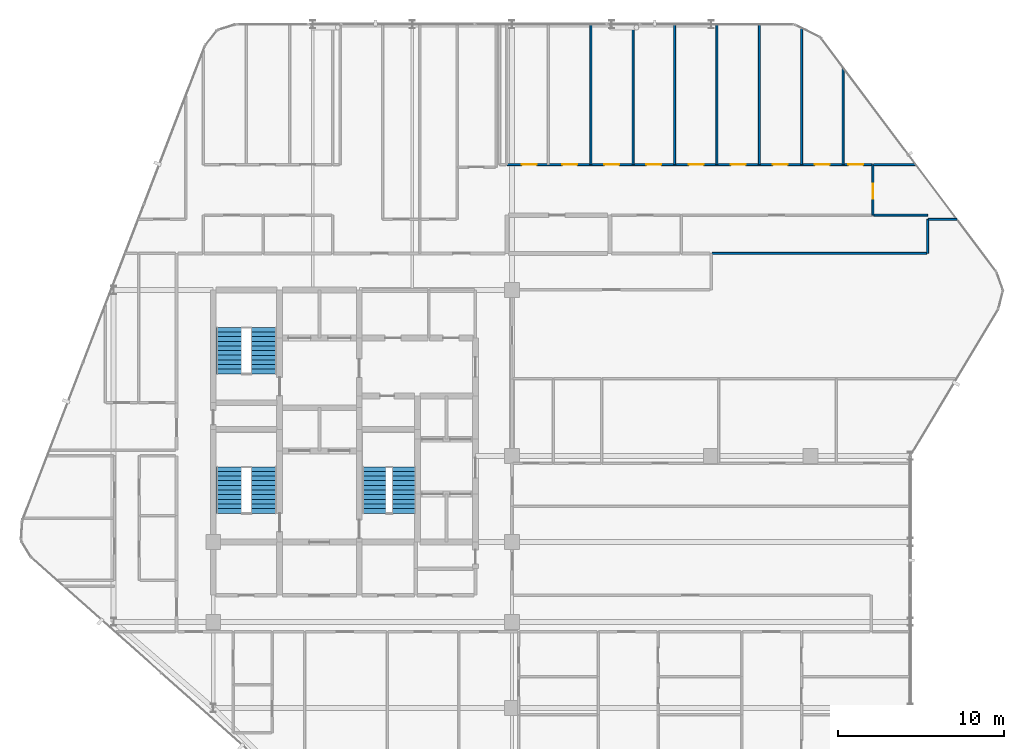
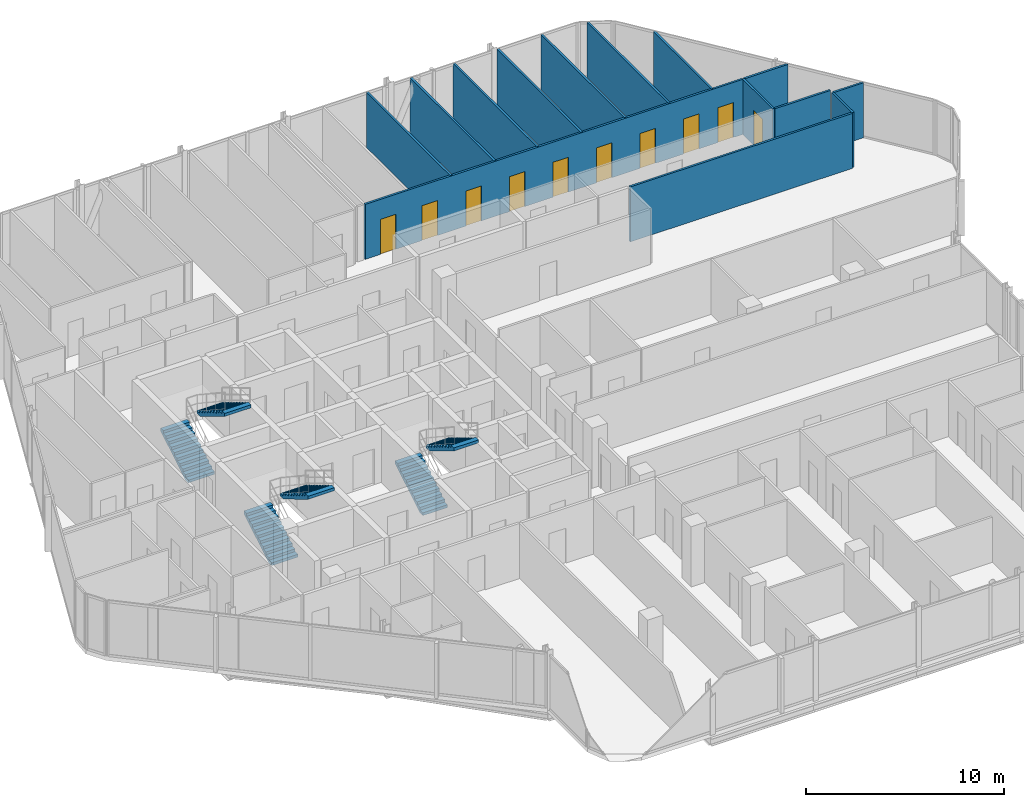
# One storey, part 30 of 31: 14 walls, 10 doors, 6 stair flights, 10 openings, 3 elements without a shape of their own.
"""IFC4 building model written with IfcOpenShell, lengths in metres."""

from ifc_helpers import new_model, si_unit, direction, frame, frame_2d, origin, place, context, subcontext, project, spatial, polyline, rectangle, outline, extrude, material, layer, layer_set, type_object, element, fill, aggregate, save


model = new_model("IFC4")

# Units and contexts
model_context = context("Model", 3, precision=1e-05, world=origin(), true_north=direction((0.0, 1.0)))
body_context = subcontext(model_context, "Body", "Model", "MODEL_VIEW")
ifc_project = project(units=[si_unit("LENGTHUNIT", "METRE"), si_unit("AREAUNIT", "SQUARE_METRE"), si_unit("VOLUMEUNIT", "CUBIC_METRE"), si_unit("PLANEANGLEUNIT", "RADIAN"), si_unit("MASSUNIT", "GRAM", prefix="KILO")], contexts=[model_context])

# Site, building, storey
site_placement = place(None, origin())
site = spatial("IfcSite", under=ifc_project, at=site_placement, CompositionType="ELEMENT")
building_placement = place(site_placement, origin())
building = spatial("IfcBuilding", under=site, at=building_placement, Name="Keshet Zoharim Tower", CompositionType="ELEMENT")
storey_placement = place(building_placement, frame((0.0, 0.0, 148.300048828125)))
storey = spatial("IfcBuildingStorey", under=building, at=storey_placement, Name="L36", CompositionType="ELEMENT", Elevation=148.300048828125)

# Walls
ifc_material_1 = material(Name="Gypsum Plasterboard", Category="gypsum")
ifc_layer = layer(ifc_material_1, 0.1201171875)
ifc_layer_set = layer_set([ifc_layer], Name="Gypsum Plasterboard")
wall_type = type_object("IfcWallType", Name="WL-PART-120", PredefinedType="PARTITIONING", material=ifc_layer_set)
for number, where, z_axis, x_axis, name in (
    (1, (37.75, 45.449951171875, 0.0), (0.0, 0.0, 1.0), (0.0, 1.0, 0.0), "L36 Interior Wall 079"),
    (2, (40.300048828125, 45.449951171875, 0.0), (0.0, 0.0, 1.0), (0.0, 1.0, 0.0), "L36 Interior Wall 085"),
    (3, (42.800048828125, 45.449951171875, 0.0), (0.0, 0.0, 1.0), (0.0, 1.0, 0.0), "L36 Interior Wall 089"),
    (4, (45.35009765625, 45.449951171875, 0.0), (0.0, 0.0, 1.0), (0.0, 1.0, 0.0), "L36 Interior Wall 092"),
    (5, (47.89990234375, 45.449951171875, 0.0), (0.0, 0.0, 1.0), (0.0, 1.0, 0.0), "L36 Interior Wall 097"),
):
    element("IfcWall", number, at=place(storey_placement, frame(where, z_axis=z_axis, x_axis=x_axis)), inside=storey, type_object=wall_type, Name=name, PredefinedType="PARTITIONING", context=body_context, shape_type="SweptSolid", body=[
        extrude(rectangle(XDim=8.43994140625, YDim=0.1201171875, at=frame_2d((4.219970703125, 0.0))), origin(), (0.0, 0.0, 1.0), 3.385009765625),
    ])
wall_1_placement = place(storey_placement, frame((50.449951171875, 45.449951171875, 0.0), z_axis=(0.0, 0.0, 1.0), x_axis=(0.0, 1.0, 0.0)))
element("IfcWall", 6, at=wall_1_placement, inside=storey, type_object=wall_type, Name="L36 Interior Wall 101", PredefinedType="PARTITIONING", context=body_context, shape_type="SweptSolid", body=[
    extrude(rectangle(XDim=8.215087890625, YDim=0.1201171875, at=frame_2d((4.107421875, 0.0))), origin(), (0.0, 0.0, 1.0), 3.385009765625),
])
wall_2_placement = place(storey_placement, frame((52.949951171875, 45.449951171875, 0.0), z_axis=(0.0, 0.0, 1.0), x_axis=(0.0, 1.0, 0.0)))
element("IfcWall", 7, at=wall_2_placement, inside=storey, type_object=wall_type, Name="L36 Interior Wall 103", PredefinedType="PARTITIONING", context=body_context, shape_type="SweptSolid", body=[
    extrude(rectangle(XDim=5.840087890625, YDim=0.1201171875, at=frame_2d((2.919921875, 0.0))), origin(), (0.0, 0.0, 1.0), 3.385009765625),
])

# Wall, opening, door
wall_3_placement = place(storey_placement, frame((54.75, 42.39990234375, 0.0), z_axis=(0.0, 0.0, 1.0), x_axis=(0.0, 1.0, 0.0)))
wall_3 = element("IfcWall", 8, at=wall_3_placement, inside=storey, type_object=wall_type, Name="L36 Interior Wall 105", PredefinedType="PARTITIONING", context=body_context, shape_type="SweptSolid", body=[
    extrude(rectangle(XDim=3.050048828125, YDim=0.1201171875, at=frame_2d((1.52490234375, 0.0))), origin(), (0.0, 0.0, 1.0), 3.385009765625),
])
opening_1_placement = place(wall_3_placement, frame((1.0029296875, 0.0, 0.0)))
opening_1 = element("IfcOpeningElement", 9, at=opening_1_placement, cuts=wall_3, Name="Opening D-IN90", PredefinedType="OPENING", context=body_context, shape_type="SweptSolid", body=[
    extrude(rectangle(XDim=0.89990234375, YDim=2.14990234375, at=frame_2d((0.449951171875, 1.074951171875))), frame((0.0, 0.070068359375, 0.0), z_axis=(0.0, -1.0, 0.0), x_axis=(1.0, 0.0, 0.0)), (0.0, 0.0, 1.0), 0.14013671875),
])
ifc_material_2 = material(Name="Hardwood Timber", Category="wood")
door_type = type_object("IfcDoorType", Name="DR-INT-090", OperationType="NOTDEFINED", PredefinedType="DOOR", material=ifc_material_2)
door_1_placement = place(opening_1_placement, origin())
door_1 = element("IfcDoor", 10, at=door_1_placement, inside=storey, type_object=door_type, Name="Apartment 3606 Private Reading Room Door", OperationType="SINGLE_SWING_RIGHT", OverallHeight=2.14990234375, OverallWidth=0.89990234375, PredefinedType="DOOR", context=body_context, shape_type="SweptSolid", body=[
    extrude(rectangle(XDim=0.89990234375, YDim=2.14990234375, at=frame_2d((0.449951171875, 1.074951171875))), frame((0.0, 0.02490234375, 0.0), z_axis=(0.0, -1.0, 0.0), x_axis=(1.0, 0.0, 0.0)), (0.0, 0.0, 1.0), 0.050048828125),
])
fill(opening_1, door_1)

# Walls
wall_4_placement = place(storey_placement, frame((58.050048828125, 40.10009765625, 0.0), z_axis=(0.0, 0.0, 1.0), x_axis=(0.0, 1.0, 0.0)))
element("IfcWall", 11, at=wall_4_placement, inside=storey, type_object=wall_type, Name="L36 Interior Wall 106", PredefinedType="PARTITIONING", context=body_context, shape_type="SweptSolid", body=[
    extrude(rectangle(XDim=2.0498046875, YDim=0.1201171875, at=frame_2d((1.02490234375, 0.0))), origin(), (0.0, 0.0, 1.0), 3.385009765625),
])
wall_5_placement = place(storey_placement, frame((45.06005859375, 40.10009765625, 0.0), z_axis=(0.0, 0.0, 1.0), x_axis=(1.0, 0.0, 0.0)))
element("IfcWall", 12, at=wall_5_placement, inside=storey, type_object=wall_type, Name="L36 Interior Wall 186", PredefinedType="PARTITIONING", context=body_context, shape_type="SweptSolid", body=[
    extrude(rectangle(XDim=12.931884765625, YDim=0.1201171875, at=frame_2d((6.4658203125, 0.0))), origin(), (0.0, 0.0, 1.0), 3.385009765625),
])
wall_6_placement = place(storey_placement, frame((58.0830078125, 42.14990234375, 0.0), z_axis=(0.0, 0.0, 1.0), x_axis=(1.0, 0.0, 0.0)))
element("IfcWall", 13, at=wall_6_placement, inside=storey, type_object=wall_type, Name="L36 Interior Wall 189", PredefinedType="PARTITIONING", context=body_context, shape_type="SweptSolid", body=[
    extrude(rectangle(XDim=1.719970703125, YDim=0.1201171875, at=frame_2d((0.85986328125, 0.0))), origin(), (0.0, 0.0, 1.0), 3.385009765625),
])
wall_7_placement = place(storey_placement, frame((54.794921875, 42.39990234375, 0.0), z_axis=(0.0, 0.0, 1.0), x_axis=(1.0, 0.0, 0.0)))
element("IfcWall", 14, at=wall_7_placement, inside=storey, type_object=wall_type, Name="L36 Interior Wall 195", PredefinedType="PARTITIONING", context=body_context, shape_type="SweptSolid", body=[
    extrude(rectangle(XDim=3.2431640625, YDim=0.1201171875, at=frame_2d((1.62158203125, 0.0))), origin(), (0.0, 0.0, 1.0), 3.385009765625),
])

# Wall, openings, doors
wall_8_placement = place(storey_placement, frame((32.72509765625, 45.449951171875, 0.0), z_axis=(0.0, 0.0, 1.0), x_axis=(1.0, 0.0, 0.0)))
wall_8 = element("IfcWall", 15, at=wall_8_placement, inside=storey, type_object=wall_type, Name="L36 Interior Wall 200", PredefinedType="PARTITIONING", context=body_context, shape_type="SweptSolid", body=[
    extrude(rectangle(XDim=21.97998046875, YDim=0.1201171875, at=frame_2d((10.989990234375, 0.0))), origin(), (0.0, 0.0, 1.0), 3.385009765625),
])
opening_2_placement = place(wall_8_placement, frame((0.8720703125, 0.0, 0.0)))
opening_2 = element("IfcOpeningElement", 16, at=opening_2_placement, cuts=wall_8, Name="Opening D-IN90", PredefinedType="OPENING", context=body_context, shape_type="SweptSolid", body=[
    extrude(rectangle(XDim=0.89990234375, YDim=2.14990234375, at=frame_2d((0.449951171875, 1.074951171875))), frame((0.0, 0.070068359375, 0.0), z_axis=(0.0, -1.0, 0.0), x_axis=(1.0, 0.0, 0.0)), (0.0, 0.0, 1.0), 0.14013671875),
])
opening_3_placement = place(wall_8_placement, frame((3.30908203125, 0.0, 0.0)))
opening_3 = element("IfcOpeningElement", 17, at=opening_3_placement, cuts=wall_8, Name="Opening D-IN90", PredefinedType="OPENING", context=body_context, shape_type="SweptSolid", body=[
    extrude(rectangle(XDim=0.89990234375, YDim=2.14990234375, at=frame_2d((0.449951171875, 1.074951171875))), frame((0.0, 0.070068359375, 0.0), z_axis=(0.0, -1.0, 0.0), x_axis=(1.0, 0.0, 0.0)), (0.0, 0.0, 1.0), 0.14013671875),
])
opening_4_placement = place(wall_8_placement, frame((5.844970703125, 0.0, 0.0)))
opening_4 = element("IfcOpeningElement", 18, at=opening_4_placement, cuts=wall_8, Name="Opening D-IN90", PredefinedType="OPENING", context=body_context, shape_type="SweptSolid", body=[
    extrude(rectangle(XDim=0.89990234375, YDim=2.14990234375, at=frame_2d((0.449951171875, 1.074951171875))), frame((0.0, 0.070068359375, 0.0), z_axis=(0.0, -1.0, 0.0), x_axis=(1.0, 0.0, 0.0)), (0.0, 0.0, 1.0), 0.14013671875),
])
opening_5_placement = place(wall_8_placement, frame((8.3798828125, 0.0, 0.0)))
opening_5 = element("IfcOpeningElement", 19, at=opening_5_placement, cuts=wall_8, Name="Opening D-IN90", PredefinedType="OPENING", context=body_context, shape_type="SweptSolid", body=[
    extrude(rectangle(XDim=0.89990234375, YDim=2.14990234375, at=frame_2d((0.449951171875, 1.074951171875))), frame((0.0, 0.070068359375, 0.0), z_axis=(0.0, -1.0, 0.0), x_axis=(1.0, 0.0, 0.0)), (0.0, 0.0, 1.0), 0.14013671875),
])
opening_6_placement = place(wall_8_placement, frame((10.916015625, 0.0, 0.0)))
opening_6 = element("IfcOpeningElement", 20, at=opening_6_placement, cuts=wall_8, Name="Opening D-IN90", PredefinedType="OPENING", context=body_context, shape_type="SweptSolid", body=[
    extrude(rectangle(XDim=0.89990234375, YDim=2.14990234375, at=frame_2d((0.449951171875, 1.074951171875))), frame((0.0, 0.070068359375, 0.0), z_axis=(0.0, -1.0, 0.0), x_axis=(1.0, 0.0, 0.0)), (0.0, 0.0, 1.0), 0.14013671875),
])
opening_7_placement = place(wall_8_placement, frame((13.451904296875, 0.0, 0.0)))
opening_7 = element("IfcOpeningElement", 21, at=opening_7_placement, cuts=wall_8, Name="Opening D-IN90", PredefinedType="OPENING", context=body_context, shape_type="SweptSolid", body=[
    extrude(rectangle(XDim=0.89990234375, YDim=2.14990234375, at=frame_2d((0.449951171875, 1.074951171875))), frame((0.0, 0.070068359375, 0.0), z_axis=(0.0, -1.0, 0.0), x_axis=(1.0, 0.0, 0.0)), (0.0, 0.0, 1.0), 0.14013671875),
])
opening_8_placement = place(wall_8_placement, frame((15.988037109375, 0.0, 0.0)))
opening_8 = element("IfcOpeningElement", 22, at=opening_8_placement, cuts=wall_8, Name="Opening D-IN90", PredefinedType="OPENING", context=body_context, shape_type="SweptSolid", body=[
    extrude(rectangle(XDim=0.89990234375, YDim=2.14990234375, at=frame_2d((0.449951171875, 1.074951171875))), frame((0.0, 0.070068359375, 0.0), z_axis=(0.0, -1.0, 0.0), x_axis=(1.0, 0.0, 0.0)), (0.0, 0.0, 1.0), 0.14013671875),
])
opening_9_placement = place(wall_8_placement, frame((18.52392578125, 0.0, 0.0)))
opening_9 = element("IfcOpeningElement", 23, at=opening_9_placement, cuts=wall_8, Name="Opening D-IN90", PredefinedType="OPENING", context=body_context, shape_type="SweptSolid", body=[
    extrude(rectangle(XDim=0.89990234375, YDim=2.14990234375, at=frame_2d((0.449951171875, 1.074951171875))), frame((0.0, 0.070068359375, 0.0), z_axis=(0.0, -1.0, 0.0), x_axis=(1.0, 0.0, 0.0)), (0.0, 0.0, 1.0), 0.14013671875),
])
opening_10_placement = place(wall_8_placement, frame((20.527099609375, 0.0, 0.0)))
opening_10 = element("IfcOpeningElement", 24, at=opening_10_placement, cuts=wall_8, Name="Opening D-IN90", PredefinedType="OPENING", context=body_context, shape_type="SweptSolid", body=[
    extrude(rectangle(XDim=0.89990234375, YDim=2.14990234375, at=frame_2d((0.449951171875, 1.074951171875))), frame((0.0, 0.070068359375, 0.0), z_axis=(0.0, -1.0, 0.0), x_axis=(1.0, 0.0, 0.0)), (0.0, 0.0, 1.0), 0.14013671875),
])
door_2_placement = place(opening_2_placement, origin())
door_2 = element("IfcDoor", 25, at=door_2_placement, inside=storey, type_object=door_type, Name="Apartment 3606 Bedroom 1 Door", OperationType="SINGLE_SWING_RIGHT", OverallHeight=2.14990234375, OverallWidth=0.89990234375, PredefinedType="DOOR", context=body_context, shape_type="SweptSolid", body=[
    extrude(rectangle(XDim=0.89990234375, YDim=2.14990234375, at=frame_2d((0.449951171875, 1.074951171875))), frame((0.0, 0.02490234375, 0.0), z_axis=(0.0, -1.0, 0.0), x_axis=(1.0, 0.0, 0.0)), (0.0, 0.0, 1.0), 0.050048828125),
])
fill(opening_2, door_2)
door_3_placement = place(opening_3_placement, origin())
door_3 = element("IfcDoor", 26, at=door_3_placement, inside=storey, type_object=door_type, Name="Apartment 3606 Bedroom 2 Door", OperationType="SINGLE_SWING_LEFT", OverallHeight=2.14990234375, OverallWidth=0.89990234375, PredefinedType="DOOR", context=body_context, shape_type="SweptSolid", body=[
    extrude(rectangle(XDim=0.89990234375, YDim=2.14990234375, at=frame_2d((0.449951171875, 1.074951171875))), frame((0.0, 0.02490234375, 0.0), z_axis=(0.0, -1.0, 0.0), x_axis=(1.0, 0.0, 0.0)), (0.0, 0.0, 1.0), 0.050048828125),
])
fill(opening_3, door_3)
door_4_placement = place(opening_4_placement, origin())
door_4 = element("IfcDoor", 27, at=door_4_placement, inside=storey, type_object=door_type, Name="Apartment 3606 Bedroom 3 Door", OperationType="SINGLE_SWING_RIGHT", OverallHeight=2.14990234375, OverallWidth=0.89990234375, PredefinedType="DOOR", context=body_context, shape_type="SweptSolid", body=[
    extrude(rectangle(XDim=0.89990234375, YDim=2.14990234375, at=frame_2d((0.449951171875, 1.074951171875))), frame((0.0, 0.02490234375, 0.0), z_axis=(0.0, -1.0, 0.0), x_axis=(1.0, 0.0, 0.0)), (0.0, 0.0, 1.0), 0.050048828125),
])
fill(opening_4, door_4)
door_5_placement = place(opening_5_placement, origin())
door_5 = element("IfcDoor", 28, at=door_5_placement, inside=storey, type_object=door_type, Name="Apartment 3606 Bedroom 4 Door", OperationType="SINGLE_SWING_LEFT", OverallHeight=2.14990234375, OverallWidth=0.89990234375, PredefinedType="DOOR", context=body_context, shape_type="SweptSolid", body=[
    extrude(rectangle(XDim=0.89990234375, YDim=2.14990234375, at=frame_2d((0.449951171875, 1.074951171875))), frame((0.0, 0.02490234375, 0.0), z_axis=(0.0, -1.0, 0.0), x_axis=(1.0, 0.0, 0.0)), (0.0, 0.0, 1.0), 0.050048828125),
])
fill(opening_5, door_5)
door_6_placement = place(opening_6_placement, origin())
door_6 = element("IfcDoor", 29, at=door_6_placement, inside=storey, type_object=door_type, Name="Apartment 3606 Bedroom 5 Door", OperationType="SINGLE_SWING_RIGHT", OverallHeight=2.14990234375, OverallWidth=0.89990234375, PredefinedType="DOOR", context=body_context, shape_type="SweptSolid", body=[
    extrude(rectangle(XDim=0.89990234375, YDim=2.14990234375, at=frame_2d((0.449951171875, 1.074951171875))), frame((0.0, 0.02490234375, 0.0), z_axis=(0.0, -1.0, 0.0), x_axis=(1.0, 0.0, 0.0)), (0.0, 0.0, 1.0), 0.050048828125),
])
fill(opening_6, door_6)
door_7_placement = place(opening_7_placement, origin())
door_7 = element("IfcDoor", 30, at=door_7_placement, inside=storey, type_object=door_type, Name="Apartment 3606 Bedroom 6 Door", OperationType="SINGLE_SWING_LEFT", OverallHeight=2.14990234375, OverallWidth=0.89990234375, PredefinedType="DOOR", context=body_context, shape_type="SweptSolid", body=[
    extrude(rectangle(XDim=0.89990234375, YDim=2.14990234375, at=frame_2d((0.449951171875, 1.074951171875))), frame((0.0, 0.02490234375, 0.0), z_axis=(0.0, -1.0, 0.0), x_axis=(1.0, 0.0, 0.0)), (0.0, 0.0, 1.0), 0.050048828125),
])
fill(opening_7, door_7)
door_8_placement = place(opening_8_placement, origin())
door_8 = element("IfcDoor", 31, at=door_8_placement, inside=storey, type_object=door_type, Name="Apartment 3606 Bedroom 7 Door", OperationType="SINGLE_SWING_RIGHT", OverallHeight=2.14990234375, OverallWidth=0.89990234375, PredefinedType="DOOR", context=body_context, shape_type="SweptSolid", body=[
    extrude(rectangle(XDim=0.89990234375, YDim=2.14990234375, at=frame_2d((0.449951171875, 1.074951171875))), frame((0.0, 0.02490234375, 0.0), z_axis=(0.0, -1.0, 0.0), x_axis=(1.0, 0.0, 0.0)), (0.0, 0.0, 1.0), 0.050048828125),
])
fill(opening_8, door_8)
door_9_placement = place(opening_9_placement, origin())
door_9 = element("IfcDoor", 32, at=door_9_placement, inside=storey, type_object=door_type, Name="Apartment 3606 Bedroom 8 Door", OperationType="SINGLE_SWING_LEFT", OverallHeight=2.14990234375, OverallWidth=0.89990234375, PredefinedType="DOOR", context=body_context, shape_type="SweptSolid", body=[
    extrude(rectangle(XDim=0.89990234375, YDim=2.14990234375, at=frame_2d((0.449951171875, 1.074951171875))), frame((0.0, 0.02490234375, 0.0), z_axis=(0.0, -1.0, 0.0), x_axis=(1.0, 0.0, 0.0)), (0.0, 0.0, 1.0), 0.050048828125),
])
fill(opening_9, door_9)
door_10_placement = place(opening_10_placement, origin())
door_10 = element("IfcDoor", 33, at=door_10_placement, inside=storey, type_object=door_type, Name="Apartment 3606 Bedroom 9 Door", OperationType="SINGLE_SWING_RIGHT", OverallHeight=2.14990234375, OverallWidth=0.89990234375, PredefinedType="DOOR", context=body_context, shape_type="SweptSolid", body=[
    extrude(rectangle(XDim=0.89990234375, YDim=2.14990234375, at=frame_2d((0.449951171875, 1.074951171875))), frame((0.0, 0.02490234375, 0.0), z_axis=(0.0, -1.0, 0.0), x_axis=(1.0, 0.0, 0.0)), (0.0, 0.0, 1.0), 0.050048828125),
])
fill(opening_10, door_10)

# Wall
wall_9_placement = place(storey_placement, frame((54.794921875, 45.449951171875, 0.0), z_axis=(0.0, 0.0, 1.0), x_axis=(1.0, 0.0, 0.0)))
element("IfcWall", 34, at=wall_9_placement, inside=storey, type_object=wall_type, Name="L36 Interior Wall 201", PredefinedType="PARTITIONING", context=body_context, shape_type="SweptSolid", body=[
    extrude(rectangle(XDim=2.532958984375, YDim=0.1201171875, at=frame_2d((1.2666015625, 0.0))), origin(), (0.0, 0.0, 1.0), 3.385009765625),
])

# Stair, stair flights
ifc_material_3 = material(Name="Concrete C50/60", Category="concrete")
stair_type = type_object("IfcStairType", Name="STR-EXIT-135", PredefinedType="HALF_TURN_STAIR", material=ifc_material_3)
stair_1_placement = place(storey_placement, origin())
stair_1 = element("IfcStair", 35, at=stair_1_placement, inside=storey, type_object=stair_type, Name="L36 Enclosed Exit Stair ST-01", PredefinedType="HALF_TURN_STAIR")
stair_flight_type_1 = type_object("IfcStairFlightType", Name="FLT-PRE-135", PredefinedType="STRAIGHT", material=ifc_material_3)
stair_flight_1_placement = place(storey_placement, frame((15.945068359375, 24.43994140625, 0.0), z_axis=(0.0, 0.0, 1.0), x_axis=(0.0, 1.0, 0.0)))
stair_flight_1 = element("IfcStairFlight", 36, at=stair_flight_1_placement, type_object=stair_flight_type_1, Name="ST-01 flight 1", NumberOfRisers=11, NumberOfTreads=10, PredefinedType="STRAIGHT", RiserHeight=0.168182, TreadLength=0.28, context=body_context, shape_type="SweptSolid", body=[
    extrude(outline(polyline([(0.0, 0.0), (0.0, 0.168212890625), (0.280029296875, 0.168212890625), (0.280029296875, 0.33642578125), (0.56005859375, 0.33642578125), (0.56005859375, 0.504638671875), (0.840087890625, 0.504638671875), (0.840087890625, 0.672607421875), (1.1201171875, 0.672607421875), (1.1201171875, 0.8408203125), (1.39990234375, 0.8408203125), (1.39990234375, 1.009033203125), (1.679931640625, 1.009033203125), (1.679931640625, 1.17724609375), (1.9599609375, 1.17724609375), (1.9599609375, 1.345458984375), (2.239990234375, 1.345458984375), (2.239990234375, 1.513671875), (2.52001953125, 1.513671875), (2.52001953125, 1.681884765625), (2.800048828125, 1.681884765625), (2.800048828125, 1.85009765625), (2.800048828125, 1.495361328125), (0.310546875, 0.0), (0.0, 0.0)])), frame((0.0, 0.76513671875, 0.0), z_axis=(0.0, -1.0, 0.0), x_axis=(1.0, 0.0, 0.0)), (0.0, 0.0, 1.0), 1.530029296875),
])
stair_flight_2_placement = place(storey_placement, frame((18.054931640625, 27.239990234375, 1.849853515625), z_axis=(0.0, 0.0, 1.0), x_axis=(0.0, -1.0, 0.0)))
stair_flight_2 = element("IfcStairFlight", 37, at=stair_flight_2_placement, type_object=stair_flight_type_1, Name="ST-01 flight 2", NumberOfRisers=11, NumberOfTreads=10, PredefinedType="STRAIGHT", RiserHeight=0.168182, TreadLength=0.28, context=body_context, shape_type="SweptSolid", body=[
    extrude(outline(polyline([(0.0, 0.0), (0.0, 0.168212890625), (0.280029296875, 0.168212890625), (0.280029296875, 0.33642578125), (0.56005859375, 0.33642578125), (0.56005859375, 0.504638671875), (0.840087890625, 0.504638671875), (0.840087890625, 0.672607421875), (1.1201171875, 0.672607421875), (1.1201171875, 0.8408203125), (1.39990234375, 0.8408203125), (1.39990234375, 1.009033203125), (1.679931640625, 1.009033203125), (1.679931640625, 1.17724609375), (1.9599609375, 1.17724609375), (1.9599609375, 1.345458984375), (2.239990234375, 1.345458984375), (2.239990234375, 1.513671875), (2.52001953125, 1.513671875), (2.52001953125, 1.681884765625), (2.800048828125, 1.681884765625), (2.800048828125, 1.85009765625), (2.800048828125, 1.495361328125), (0.310546875, 0.0), (0.0, 0.0)])), frame((0.0, 0.76513671875, 0.0), z_axis=(0.0, -1.0, 0.0), x_axis=(1.0, 0.0, 0.0)), (0.0, 0.0, 1.0), 1.530029296875),
])
aggregate(stair_1, [stair_flight_1, stair_flight_2])

stair_2_placement = place(storey_placement, origin())
stair_2 = element("IfcStair", 38, at=stair_2_placement, inside=storey, type_object=stair_type, Name="L36 Enclosed Exit Stair ST-02", PredefinedType="HALF_TURN_STAIR")
stair_flight_3_placement = place(storey_placement, frame((15.945068359375, 32.840087890625, 0.0), z_axis=(0.0, 0.0, 1.0), x_axis=(0.0, 1.0, 0.0)))
stair_flight_3 = element("IfcStairFlight", 39, at=stair_flight_3_placement, type_object=stair_flight_type_1, Name="ST-02 flight 1", NumberOfRisers=11, NumberOfTreads=10, PredefinedType="STRAIGHT", RiserHeight=0.168182, TreadLength=0.28, context=body_context, shape_type="SweptSolid", body=[
    extrude(outline(polyline([(0.0, 0.0), (0.0, 0.168212890625), (0.280029296875, 0.168212890625), (0.280029296875, 0.33642578125), (0.56005859375, 0.33642578125), (0.56005859375, 0.504638671875), (0.840087890625, 0.504638671875), (0.840087890625, 0.672607421875), (1.1201171875, 0.672607421875), (1.1201171875, 0.8408203125), (1.39990234375, 0.8408203125), (1.39990234375, 1.009033203125), (1.679931640625, 1.009033203125), (1.679931640625, 1.17724609375), (1.9599609375, 1.17724609375), (1.9599609375, 1.345458984375), (2.239990234375, 1.345458984375), (2.239990234375, 1.513671875), (2.52001953125, 1.513671875), (2.52001953125, 1.681884765625), (2.800048828125, 1.681884765625), (2.800048828125, 1.85009765625), (2.800048828125, 1.495361328125), (0.310546875, 0.0), (0.0, 0.0)])), frame((0.0, 0.76513671875, 0.0), z_axis=(0.0, -1.0, 0.0), x_axis=(1.0, 0.0, 0.0)), (0.0, 0.0, 1.0), 1.530029296875),
])
stair_flight_4_placement = place(storey_placement, frame((18.054931640625, 35.639892578125, 1.849853515625), z_axis=(0.0, 0.0, 1.0), x_axis=(0.0, -1.0, 0.0)))
stair_flight_4 = element("IfcStairFlight", 40, at=stair_flight_4_placement, type_object=stair_flight_type_1, Name="ST-02 flight 2", NumberOfRisers=11, NumberOfTreads=10, PredefinedType="STRAIGHT", RiserHeight=0.168182, TreadLength=0.28, context=body_context, shape_type="SweptSolid", body=[
    extrude(outline(polyline([(0.0, 0.0), (0.0, 0.168212890625), (0.280029296875, 0.168212890625), (0.280029296875, 0.33642578125), (0.56005859375, 0.33642578125), (0.56005859375, 0.504638671875), (0.840087890625, 0.504638671875), (0.840087890625, 0.672607421875), (1.1201171875, 0.672607421875), (1.1201171875, 0.8408203125), (1.39990234375, 0.8408203125), (1.39990234375, 1.009033203125), (1.679931640625, 1.009033203125), (1.679931640625, 1.17724609375), (1.9599609375, 1.17724609375), (1.9599609375, 1.345458984375), (2.239990234375, 1.345458984375), (2.239990234375, 1.513671875), (2.52001953125, 1.513671875), (2.52001953125, 1.681884765625), (2.800048828125, 1.681884765625), (2.800048828125, 1.85009765625), (2.800048828125, 1.495361328125), (0.310546875, 0.0), (0.0, 0.0)])), frame((0.0, 0.76513671875, 0.0), z_axis=(0.0, -1.0, 0.0), x_axis=(1.0, 0.0, 0.0)), (0.0, 0.0, 1.0), 1.530029296875),
])
aggregate(stair_2, [stair_flight_3, stair_flight_4])

stair_3_placement = place(storey_placement, origin())
stair_3 = element("IfcStair", 41, at=stair_3_placement, inside=storey, type_object=stair_type, Name="L36 Enclosed Exit Stair ST-03", PredefinedType="HALF_TURN_STAIR")
stair_flight_type_2 = type_object("IfcStairFlightType", Name="FLT-PRE-144", PredefinedType="STRAIGHT", material=ifc_material_3)
stair_flight_5_placement = place(storey_placement, frame((24.699951171875, 24.43994140625, 0.0), z_axis=(0.0, 0.0, 1.0), x_axis=(0.0, 1.0, 0.0)))
stair_flight_5 = element("IfcStairFlight", 42, at=stair_flight_5_placement, type_object=stair_flight_type_2, Name="ST-03 flight 1", NumberOfRisers=11, NumberOfTreads=10, PredefinedType="STRAIGHT", RiserHeight=0.168182, TreadLength=0.28, context=body_context, shape_type="SweptSolid", body=[
    extrude(outline(polyline([(0.0, 0.0), (0.0, 0.168212890625), (0.280029296875, 0.168212890625), (0.280029296875, 0.33642578125), (0.56005859375, 0.33642578125), (0.56005859375, 0.504638671875), (0.840087890625, 0.504638671875), (0.840087890625, 0.672607421875), (1.1201171875, 0.672607421875), (1.1201171875, 0.8408203125), (1.39990234375, 0.8408203125), (1.39990234375, 1.009033203125), (1.679931640625, 1.009033203125), (1.679931640625, 1.17724609375), (1.9599609375, 1.17724609375), (1.9599609375, 1.345458984375), (2.239990234375, 1.345458984375), (2.239990234375, 1.513671875), (2.52001953125, 1.513671875), (2.52001953125, 1.681884765625), (2.800048828125, 1.681884765625), (2.800048828125, 1.85009765625), (2.800048828125, 1.495361328125), (0.310546875, 0.0), (0.0, 0.0)])), frame((0.0, 0.719970703125, 0.0), z_axis=(0.0, -1.0, 0.0), x_axis=(1.0, 0.0, 0.0)), (0.0, 0.0, 1.0), 1.43994140625),
])
stair_flight_6_placement = place(storey_placement, frame((26.5, 27.239990234375, 1.849853515625), z_axis=(0.0, 0.0, 1.0), x_axis=(0.0, -1.0, 0.0)))
stair_flight_6 = element("IfcStairFlight", 43, at=stair_flight_6_placement, type_object=stair_flight_type_2, Name="ST-03 flight 2", NumberOfRisers=11, NumberOfTreads=10, PredefinedType="STRAIGHT", RiserHeight=0.168182, TreadLength=0.28, context=body_context, shape_type="SweptSolid", body=[
    extrude(outline(polyline([(0.0, 0.0), (0.0, 0.168212890625), (0.280029296875, 0.168212890625), (0.280029296875, 0.33642578125), (0.56005859375, 0.33642578125), (0.56005859375, 0.504638671875), (0.840087890625, 0.504638671875), (0.840087890625, 0.672607421875), (1.1201171875, 0.672607421875), (1.1201171875, 0.8408203125), (1.39990234375, 0.8408203125), (1.39990234375, 1.009033203125), (1.679931640625, 1.009033203125), (1.679931640625, 1.17724609375), (1.9599609375, 1.17724609375), (1.9599609375, 1.345458984375), (2.239990234375, 1.345458984375), (2.239990234375, 1.513671875), (2.52001953125, 1.513671875), (2.52001953125, 1.681884765625), (2.800048828125, 1.681884765625), (2.800048828125, 1.85009765625), (2.800048828125, 1.495361328125), (0.310546875, 0.0), (0.0, 0.0)])), frame((0.0, 0.719970703125, 0.0), z_axis=(0.0, -1.0, 0.0), x_axis=(1.0, 0.0, 0.0)), (0.0, 0.0, 1.0), 1.43994140625),
])
aggregate(stair_3, [stair_flight_5, stair_flight_6])

save(model, "model.ifc")
